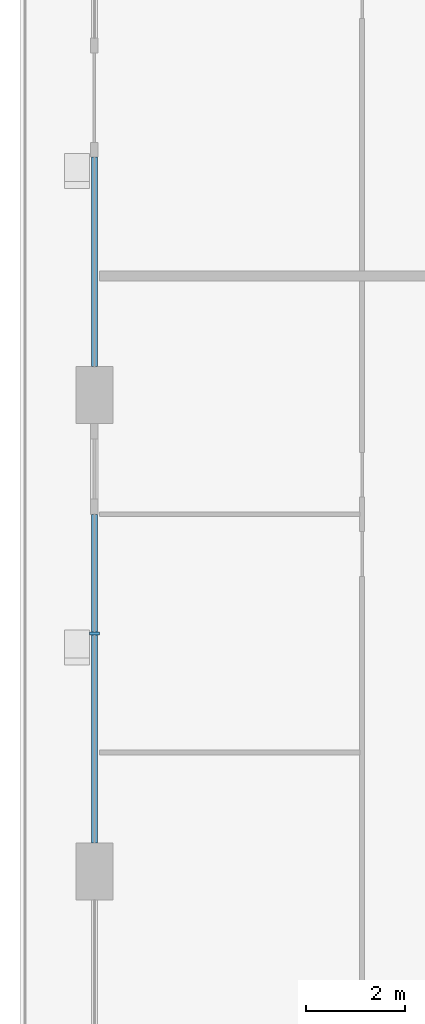
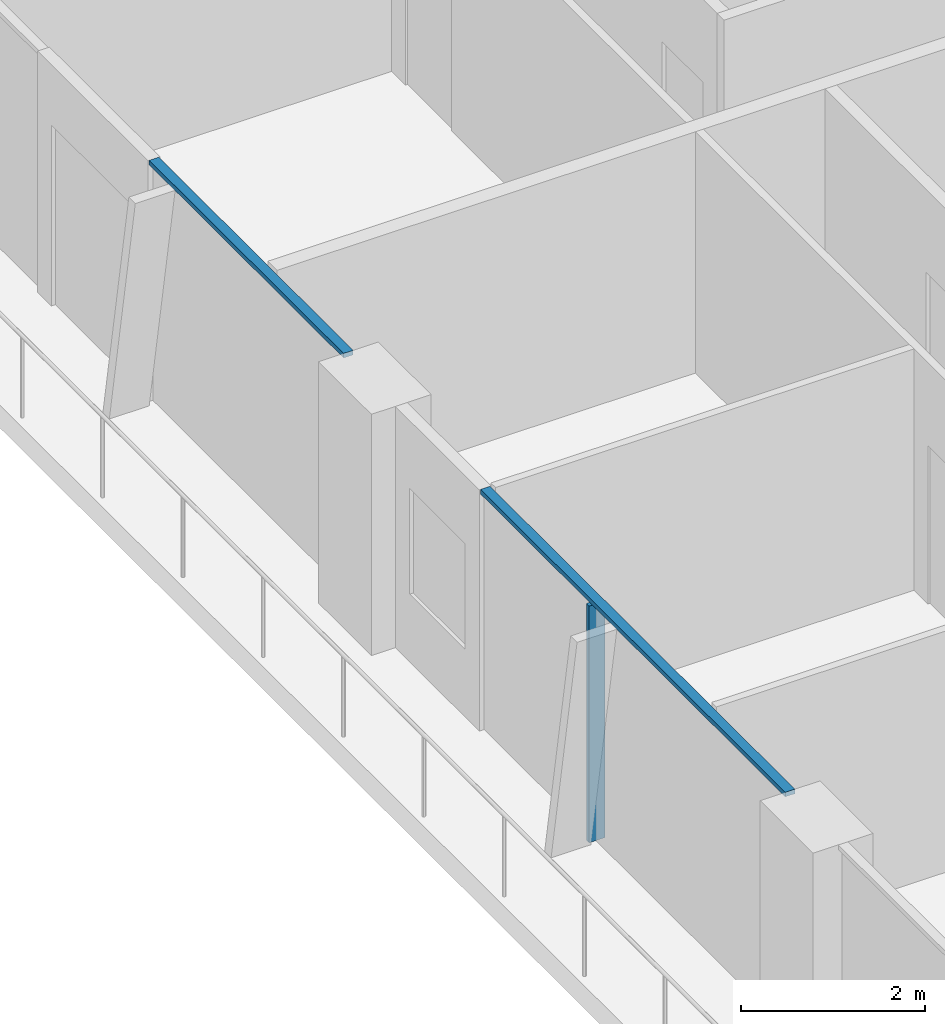
# One storey, part 3 of 22: 3 members, 2 elements without a shape of their own.
"""IFC4 building model written with IfcOpenShell, lengths in metres."""

from ifc_helpers import new_model, si_unit, direction, frame, origin, origin_2d, place, context, subcontext, project, spatial, rectangle, extrude, material, layer, layer_set, material_profile, profile_set, type_object, element, aggregate, save


model = new_model("IFC4")

# Units and contexts
model_context = context("Model", 3, precision=1e-05, world=origin(), true_north=direction((0.0, 1.0)))
body_context = subcontext(model_context, "Body", "Model", "MODEL_VIEW")
ifc_project = project(units=[si_unit("LENGTHUNIT", "METRE"), si_unit("AREAUNIT", "SQUARE_METRE"), si_unit("VOLUMEUNIT", "CUBIC_METRE"), si_unit("PLANEANGLEUNIT", "RADIAN"), si_unit("MASSUNIT", "GRAM", prefix="KILO")], contexts=[model_context])

# Site, building, storey
site_placement = place(None, origin())
site = spatial("IfcSite", under=ifc_project, at=site_placement, CompositionType="ELEMENT")
building_placement = place(site_placement, origin())
building = spatial("IfcBuilding", under=site, at=building_placement, Name="Madar Terraces", CompositionType="ELEMENT")
storey_placement = place(building_placement, frame((0.0, 0.0, 129.60009765625)))
storey = spatial("IfcBuildingStorey", under=building, at=storey_placement, Name="L33", CompositionType="ELEMENT", Elevation=129.60009765625)

# Curtain wall, member
ifc_material_1 = material(Name="Glass, ceramic frit dark grey, with black aluminium frame", Category="aluminium")
ifc_layer = layer(ifc_material_1, 0.199951171875)
ifc_layer_set = layer_set([ifc_layer], Name="Facade curtain wall, fritted glass")
curtain_wall_type = type_object("IfcCurtainWallType", Name="Facade curtain wall, fritted glass", PredefinedType="NOTDEFINED", material=ifc_layer_set)
curtain_wall_1_placement = place(storey_placement, origin())
curtain_wall_1 = element("IfcCurtainWall", 1, at=curtain_wall_1_placement, inside=storey, type_object=curtain_wall_type, Name="Outer skin curtain wall west bay 3", PredefinedType="NOTDEFINED")
ifc_material_2 = material(Name="Aluminium, black anodised", Category="aluminium")
ifc_material_profile_1 = material_profile(ifc_material_2, rectangle(XDim=0.199951171875, YDim=0.06005859375, at=origin_2d()), Name="Facade mullion 60x200")
ifc_profile_set_1 = profile_set([ifc_material_profile_1], Name="Aluminium, black anodised")
member_type_1 = type_object("IfcMemberType", Name="Facade mullion 60x200", PredefinedType="MULLION", material=ifc_profile_set_1)
member_1_placement = place(storey_placement, frame((0.0, 24.0, 0.0), z_axis=(0.0, 0.0, 1.0), x_axis=(1.0, 0.0, 0.0)))
member_1 = element("IfcMember", 2, at=member_1_placement, type_object=member_type_1, Name="Mullion 1", PredefinedType="MULLION", context=body_context, shape_type="SweptSolid", body=[
    extrude(rectangle(XDim=0.199951171875, YDim=0.06005859375, at=origin_2d()), origin(), (0.0, 0.0, 1.0), 3.139892578125),
])

curtain_wall_2_placement = place(storey_placement, origin())
curtain_wall_2 = element("IfcCurtainWall", 3, at=curtain_wall_2_placement, inside=storey, type_object=curtain_wall_type, Name="Outer skin curtain wall west bay 2", PredefinedType="NOTDEFINED")
ifc_material_3 = material(Name="Aluminium, black anodised", Category="aluminium")
ifc_material_profile_2 = material_profile(ifc_material_3, rectangle(XDim=0.1201171875, YDim=0.06005859375, at=origin_2d()), Name="Facade transom 60x120")
ifc_profile_set_2 = profile_set([ifc_material_profile_2], Name="Aluminium, black anodised")
member_type_2 = type_object("IfcMemberType", Name="Facade transom 60x120", PredefinedType="USERDEFINED", material=ifc_profile_set_2)
member_2_placement = place(storey_placement, frame((0.0, 33.60009765625, 3.169921875), z_axis=(0.0, -1.0, 0.0), x_axis=(1.0, 0.0, 0.0)))
member_2 = element("IfcMember", 4, at=member_2_placement, type_object=member_type_2, Name="Transom 2", ObjectType="TRANSOM", PredefinedType="USERDEFINED", context=body_context, shape_type="SweptSolid", body=[
    extrude(rectangle(XDim=0.1201171875, YDim=0.06005859375, at=origin_2d()), origin(), (0.0, 0.0, 1.0), 4.22509765625),
])
aggregate(curtain_wall_2, [member_2])

# Member
member_3_placement = place(storey_placement, frame((0.0, 26.39990234375, 3.169921875), z_axis=(0.0, -1.0, 0.0), x_axis=(1.0, 0.0, 0.0)))
member_3 = element("IfcMember", 5, at=member_3_placement, type_object=member_type_2, Name="Transom 1", ObjectType="TRANSOM", PredefinedType="USERDEFINED", context=body_context, shape_type="SweptSolid", body=[
    extrude(rectangle(XDim=0.1201171875, YDim=0.06005859375, at=origin_2d()), origin(), (0.0, 0.0, 1.0), 6.625),
])

aggregate(curtain_wall_1, [member_1, member_3])

save(model, "model.ifc")
